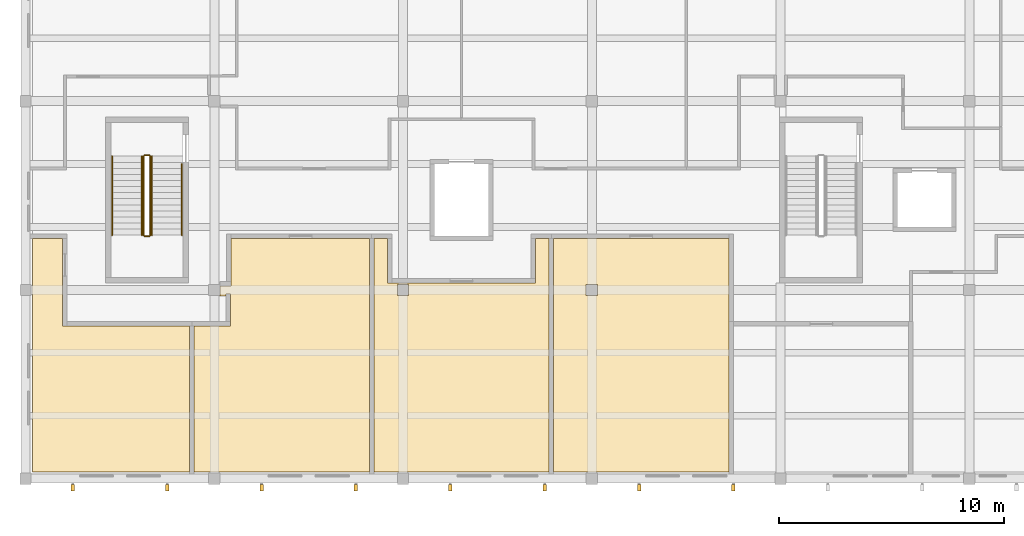
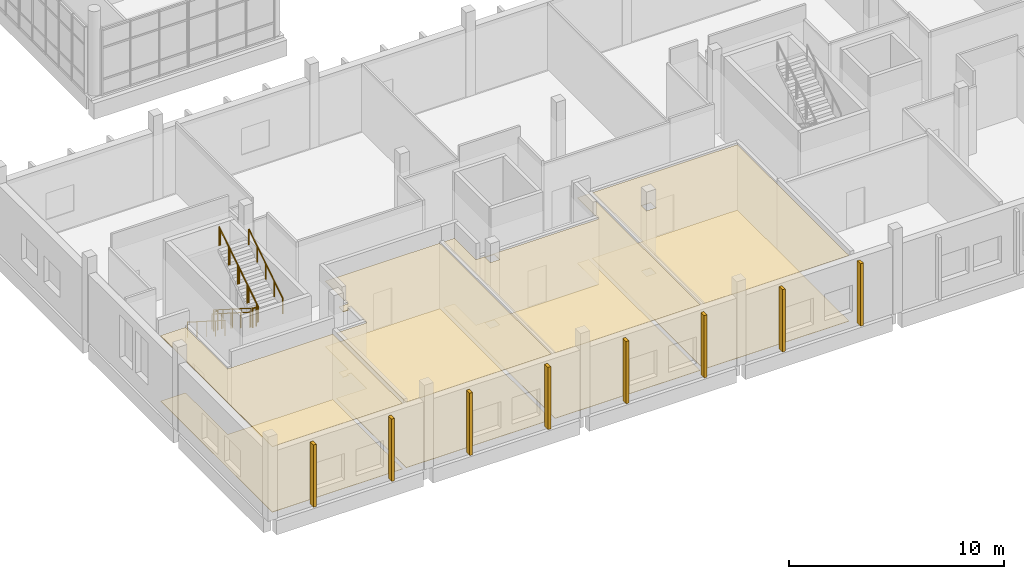
# One storey, part 86 of 119: 16 coverings, 8 railings.
"""IFC4 building model written with IfcOpenShell, lengths in metres."""

from ifc_helpers import new_model, si_unit, direction, frame, origin, origin_2d, place, context, subcontext, project, spatial, polyline, circle, outline, extrude, material, layer, layer_set, type_object, element, save


model = new_model("IFC4")

# Units and contexts
model_context = context("Model", 3, precision=1e-05, world=origin(), true_north=direction((0.0, 1.0)))
body_context = subcontext(model_context, "Body", "Model", "MODEL_VIEW")
ifc_project = project(units=[si_unit("LENGTHUNIT", "METRE"), si_unit("AREAUNIT", "SQUARE_METRE"), si_unit("VOLUMEUNIT", "CUBIC_METRE"), si_unit("PLANEANGLEUNIT", "RADIAN"), si_unit("MASSUNIT", "GRAM", prefix="KILO")], contexts=[model_context])

# Site, building, storey
site_placement = place(None, origin())
site = spatial("IfcSite", under=ifc_project, at=site_placement, CompositionType="ELEMENT")
building_placement = place(site_placement, origin())
building = spatial("IfcBuilding", under=site, at=building_placement, Name="Larchfold Concert Hall", CompositionType="ELEMENT")
storey_placement = place(building_placement, frame((0.0, 0.0, 4.800048828125)))
storey = spatial("IfcBuildingStorey", under=building, at=storey_placement, Name="L01", CompositionType="ELEMENT", Elevation=4.800048828125)

# Coverings
ifc_material_1 = material(Name="Plasterboard ceiling lining")
ifc_layer_1 = layer(ifc_material_1, 0.030029296875)
ifc_layer_set_1 = layer_set([ifc_layer_1], Name="Plasterboard ceiling lining")
covering_type_1 = type_object("IfcCoveringType", Name="Ceiling suspended plasterboard 30", PredefinedType="CEILING", material=ifc_layer_set_1)
covering_1_placement = place(storey_placement, frame((0.0, 0.0, 3.7099609375)))
element("IfcCovering", 1, at=covering_1_placement, inside=storey, type_object=covering_type_1, Name="Ceiling Ensemble Room 01", PredefinedType="CEILING", context=body_context, shape_type="SweptSolid", body=[
    extrude(outline(polyline([(0.900146484375, 11.2998046875), (0.900146484375, 0.900146484375), (7.89990234375, 0.900146484375), (7.89990234375, 7.39990234375), (2.25, 7.39990234375), (2.25, 11.2998046875), (0.900146484375, 11.2998046875)])), origin(), (0.0, 0.0, 1.0), 0.030029296875),
])
covering_2_placement = place(storey_placement, frame((0.0, 0.0, 3.7099609375)))
element("IfcCovering", 2, at=covering_2_placement, inside=storey, type_object=covering_type_1, Name="Ceiling Ensemble Room 02", PredefinedType="CEILING", context=body_context, shape_type="SweptSolid", body=[
    extrude(outline(polyline([(8.10009765625, 7.39990234375), (8.10009765625, 0.900146484375), (15.89990234375, 0.900146484375), (15.89990234375, 11.2998046875), (9.75, 11.2998046875), (9.75, 9.169921875), (9.25, 9.169921875), (9.25, 8.75), (9.211181640625, 8.75), (9.24853515625, 8.72998046875), (9.518798828125, 8.72998046875), (9.518798828125, 8.830078125), (9.718994140625, 8.830078125), (9.718994140625, 7.39990234375), (8.10009765625, 7.39990234375)])), origin(), (0.0, 0.0, 1.0), 0.030029296875),
])
covering_3_placement = place(storey_placement, frame((0.0, 0.0, 3.7099609375)))
element("IfcCovering", 3, at=covering_3_placement, inside=storey, type_object=covering_type_1, Name="Ceiling Ensemble Room 03", PredefinedType="CEILING", context=body_context, shape_type="SweptSolid", body=[
    extrude(outline(polyline([(16.10009765625, 11.2998046875), (16.10009765625, 0.900146484375), (23.89990234375, 0.900146484375), (23.89990234375, 11.2998046875), (23.300048828125, 11.2998046875), (23.300048828125, 9.2998046875), (16.89990234375, 9.2998046875), (16.699951171875, 9.300048828125), (16.699951171875, 11.2998046875), (16.10009765625, 11.2998046875)]), holes=[polyline([(17.64990234375, 9.25), (17.64990234375, 8.75), (17.14990234375, 8.75), (17.14990234375, 9.25), (17.64990234375, 9.25)])]), origin(), (0.0, 0.0, 1.0), 0.030029296875),
])
covering_4_placement = place(storey_placement, frame((0.0, 0.0, 3.7099609375)))
element("IfcCovering", 4, at=covering_4_placement, inside=storey, type_object=covering_type_1, Name="Ceiling Ensemble Room 04", PredefinedType="CEILING", context=body_context, shape_type="SweptSolid", body=[
    extrude(outline(polyline([(24.10009765625, 11.2998046875), (24.10009765625, 0.900146484375), (31.89990234375, 0.900146484375), (31.89990234375, 11.2998046875), (24.10009765625, 11.2998046875)]), holes=[polyline([(25.550048828125, 8.75), (25.550048828125, 9.25), (26.050048828125, 9.25), (26.050048828125, 8.75), (25.550048828125, 8.75)])]), origin(), (0.0, 0.0, 1.0), 0.030029296875),
])
ifc_material_2 = material(Name="Linoleum sheet")
ifc_layer_2 = layer(ifc_material_2, 0.02001953125)
ifc_layer_set_2 = layer_set([ifc_layer_2], Name="Linoleum sheet")
covering_type_2 = type_object("IfcCoveringType", Name="Floor finish vinyl 20", PredefinedType="FLOORING", material=ifc_layer_set_2)
covering_5_placement = place(storey_placement, origin())
element("IfcCovering", 5, at=covering_5_placement, inside=storey, type_object=covering_type_2, Name="Floor finish Ensemble Room 01", PredefinedType="FLOORING", context=body_context, shape_type="SweptSolid", body=[
    extrude(outline(polyline([(0.900146484375, 11.2998046875), (0.900146484375, 0.900146484375), (7.89990234375, 0.900146484375), (7.89990234375, 7.39990234375), (2.25, 7.39990234375), (2.25, 11.2998046875), (0.900146484375, 11.2998046875)])), origin(), (0.0, 0.0, 1.0), 0.02001953125),
])
covering_6_placement = place(storey_placement, origin())
element("IfcCovering", 6, at=covering_6_placement, inside=storey, type_object=covering_type_2, Name="Floor finish Ensemble Room 02", PredefinedType="FLOORING", context=body_context, shape_type="SweptSolid", body=[
    extrude(outline(polyline([(8.10009765625, 7.39990234375), (8.10009765625, 0.900146484375), (15.89990234375, 0.900146484375), (15.89990234375, 11.2998046875), (9.75, 11.2998046875), (9.75, 9.169921875), (9.25, 9.169921875), (9.25, 8.75), (9.211181640625, 8.75), (9.24853515625, 8.72998046875), (9.518798828125, 8.72998046875), (9.518798828125, 8.830078125), (9.718994140625, 8.830078125), (9.718994140625, 7.39990234375), (8.10009765625, 7.39990234375)])), origin(), (0.0, 0.0, 1.0), 0.02001953125),
])
covering_7_placement = place(storey_placement, origin())
element("IfcCovering", 7, at=covering_7_placement, inside=storey, type_object=covering_type_2, Name="Floor finish Ensemble Room 03", PredefinedType="FLOORING", context=body_context, shape_type="SweptSolid", body=[
    extrude(outline(polyline([(16.10009765625, 11.2998046875), (16.10009765625, 0.900146484375), (23.89990234375, 0.900146484375), (23.89990234375, 11.2998046875), (23.300048828125, 11.2998046875), (23.300048828125, 9.2998046875), (16.89990234375, 9.2998046875), (16.699951171875, 9.300048828125), (16.699951171875, 11.2998046875), (16.10009765625, 11.2998046875)]), holes=[polyline([(17.64990234375, 9.25), (17.64990234375, 8.75), (17.14990234375, 8.75), (17.14990234375, 9.25), (17.64990234375, 9.25)])]), origin(), (0.0, 0.0, 1.0), 0.02001953125),
])
covering_8_placement = place(storey_placement, origin())
element("IfcCovering", 8, at=covering_8_placement, inside=storey, type_object=covering_type_2, Name="Floor finish Ensemble Room 04", PredefinedType="FLOORING", context=body_context, shape_type="SweptSolid", body=[
    extrude(outline(polyline([(24.10009765625, 11.2998046875), (24.10009765625, 0.900146484375), (31.89990234375, 0.900146484375), (31.89990234375, 11.2998046875), (24.10009765625, 11.2998046875)]), holes=[polyline([(25.550048828125, 8.75), (25.550048828125, 9.25), (26.050048828125, 9.25), (26.050048828125, 8.75), (25.550048828125, 8.75)])]), origin(), (0.0, 0.0, 1.0), 0.02001953125),
])
ifc_material_3 = material(Name="Glulam GL30c", Category="wood")
ifc_layer_3 = layer(ifc_material_3, 0.159912109375)
ifc_layer_set_3 = layer_set([ifc_layer_3], Name="Glulam GL30c")
covering_type_3 = type_object("IfcCoveringType", Name="Glulam fin 160x300", PredefinedType="CLADDING", material=ifc_layer_set_3)
covering_9_placement = place(storey_placement, frame((0.0, 0.0, 0.199951171875)))
element("IfcCovering", 9, at=covering_9_placement, inside=storey, type_object=covering_type_3, Name="Glulam fin FN-L01-022", PredefinedType="CLADDING", context=body_context, shape_type="SweptSolid", body=[
    extrude(outline(polyline([(2.780029296875, 0.050048828125), (2.780029296875, 0.35009765625), (2.6201171875, 0.35009765625), (2.6201171875, 0.050048828125), (2.780029296875, 0.050048828125)])), origin(), (0.0, 0.0, 1.0), 3.5400390625),
])
covering_10_placement = place(storey_placement, frame((0.0, 0.0, 0.199951171875)))
element("IfcCovering", 10, at=covering_10_placement, inside=storey, type_object=covering_type_3, Name="Glulam fin FN-L01-023", PredefinedType="CLADDING", context=body_context, shape_type="SweptSolid", body=[
    extrude(outline(polyline([(6.97998046875, 0.050048828125), (6.97998046875, 0.35009765625), (6.820068359375, 0.35009765625), (6.820068359375, 0.050048828125), (6.97998046875, 0.050048828125)])), origin(), (0.0, 0.0, 1.0), 3.5400390625),
])
covering_11_placement = place(storey_placement, frame((0.0, 0.0, 0.199951171875)))
element("IfcCovering", 11, at=covering_11_placement, inside=storey, type_object=covering_type_3, Name="Glulam fin FN-L01-024", PredefinedType="CLADDING", context=body_context, shape_type="SweptSolid", body=[
    extrude(outline(polyline([(11.179931640625, 0.050048828125), (11.179931640625, 0.35009765625), (11.02001953125, 0.35009765625), (11.02001953125, 0.050048828125), (11.179931640625, 0.050048828125)])), origin(), (0.0, 0.0, 1.0), 3.5400390625),
])
covering_12_placement = place(storey_placement, frame((0.0, 0.0, 0.199951171875)))
element("IfcCovering", 12, at=covering_12_placement, inside=storey, type_object=covering_type_3, Name="Glulam fin FN-L01-025", PredefinedType="CLADDING", context=body_context, shape_type="SweptSolid", body=[
    extrude(outline(polyline([(15.3798828125, 0.050048828125), (15.3798828125, 0.35009765625), (15.219970703125, 0.35009765625), (15.219970703125, 0.050048828125), (15.3798828125, 0.050048828125)])), origin(), (0.0, 0.0, 1.0), 3.5400390625),
])
covering_13_placement = place(storey_placement, frame((0.0, 0.0, 0.199951171875)))
element("IfcCovering", 13, at=covering_13_placement, inside=storey, type_object=covering_type_3, Name="Glulam fin FN-L01-026", PredefinedType="CLADDING", context=body_context, shape_type="SweptSolid", body=[
    extrude(outline(polyline([(19.580078125, 0.050048828125), (19.580078125, 0.35009765625), (19.419921875, 0.35009765625), (19.419921875, 0.050048828125), (19.580078125, 0.050048828125)])), origin(), (0.0, 0.0, 1.0), 3.5400390625),
])
covering_14_placement = place(storey_placement, frame((0.0, 0.0, 0.199951171875)))
element("IfcCovering", 14, at=covering_14_placement, inside=storey, type_object=covering_type_3, Name="Glulam fin FN-L01-027", PredefinedType="CLADDING", context=body_context, shape_type="SweptSolid", body=[
    extrude(outline(polyline([(23.780029296875, 0.050048828125), (23.780029296875, 0.35009765625), (23.6201171875, 0.35009765625), (23.6201171875, 0.050048828125), (23.780029296875, 0.050048828125)])), origin(), (0.0, 0.0, 1.0), 3.5400390625),
])
covering_15_placement = place(storey_placement, frame((0.0, 0.0, 0.199951171875)))
element("IfcCovering", 15, at=covering_15_placement, inside=storey, type_object=covering_type_3, Name="Glulam fin FN-L01-028", PredefinedType="CLADDING", context=body_context, shape_type="SweptSolid", body=[
    extrude(outline(polyline([(27.97998046875, 0.050048828125), (27.97998046875, 0.35009765625), (27.820068359375, 0.35009765625), (27.820068359375, 0.050048828125), (27.97998046875, 0.050048828125)])), origin(), (0.0, 0.0, 1.0), 3.5400390625),
])
covering_16_placement = place(storey_placement, frame((0.0, 0.0, 0.199951171875)))
element("IfcCovering", 16, at=covering_16_placement, inside=storey, type_object=covering_type_3, Name="Glulam fin FN-L01-029", PredefinedType="CLADDING", context=body_context, shape_type="SweptSolid", body=[
    extrude(outline(polyline([(32.179931640625, 0.050048828125), (32.179931640625, 0.35009765625), (32.02001953125, 0.35009765625), (32.02001953125, 0.050048828125), (32.179931640625, 0.050048828125)])), origin(), (0.0, 0.0, 1.0), 3.5400390625),
])

# Railings
ifc_material_4 = material(Name="Stainless steel balustrade", Category="steel")
railing_type_1 = type_object("IfcRailingType", Name="Stair guard 1100", PredefinedType="GUARDRAIL", material=ifc_material_4)
railing_1_placement = place(storey_placement, frame((5.849853515625, 14.949951171875, 0.17138671875)))
element("IfcRailing", 17, at=railing_1_placement, inside=storey, type_object=railing_type_1, Name="Guard GR0077", PredefinedType="GUARDRAIL", context=body_context, shape_type="SweptSolid", body=[
    extrude(circle(Radius=0.02392578125, at=origin_2d()), frame((0.0, 0.0, 1.076171875), z_axis=(0.0, -0.844219563411, 0.53599750816), x_axis=(1.0, 0.0, 0.0)), (0.0, 0.0, 1.0), 4.15771484375),
    extrude(circle(Radius=0.02099609375, at=origin_2d()), origin(), (0.0, 0.0, 1.0), 1.052001953125),
    extrude(circle(Radius=0.02099609375, at=origin_2d()), frame((0.0, -0.87744140625, 0.55712890625)), (0.0, 0.0, 1.0), 1.052001953125),
    extrude(circle(Radius=0.02099609375, at=origin_2d()), frame((0.0, -1.7548828125, 1.1142578125)), (0.0, 0.0, 1.0), 1.052001953125),
    extrude(circle(Radius=0.02099609375, at=origin_2d()), frame((0.0, -2.632568359375, 1.67138671875)), (0.0, 0.0, 1.0), 1.052001953125),
    extrude(circle(Radius=0.02099609375, at=origin_2d()), frame((0.0, -3.510009765625, 2.228515625)), (0.0, 0.0, 1.0), 1.052001953125),
])
railing_2_placement = place(storey_placement, frame((5.89990234375, 11.389892578125, 2.39990234375)))
element("IfcRailing", 18, at=railing_2_placement, inside=storey, type_object=railing_type_1, Name="Guard GR0078", PredefinedType="GUARDRAIL", context=body_context, shape_type="SweptSolid", body=[
    extrude(circle(Radius=0.02392578125, at=origin_2d()), frame((0.0, 0.0, 1.076171875), z_axis=(1.0, 0.0, 0.0), x_axis=(0.0, 1.0, 0.0)), (0.0, 0.0, 1.0), 0.199951171875),
    extrude(circle(Radius=0.02099609375, at=origin_2d()), origin(), (0.0, 0.0, 1.0), 1.052001953125),
    extrude(circle(Radius=0.02099609375, at=origin_2d()), frame((0.199951171875, 0.0, 0.0)), (0.0, 0.0, 1.0), 1.052001953125),
])
railing_3_placement = place(storey_placement, frame((6.14990234375, 11.43994140625, 2.5712890625)))
element("IfcRailing", 19, at=railing_3_placement, inside=storey, type_object=railing_type_1, Name="Guard GR0079", PredefinedType="GUARDRAIL", context=body_context, shape_type="SweptSolid", body=[
    extrude(circle(Radius=0.02392578125, at=origin_2d()), frame((0.0, 0.0, 1.076171875), z_axis=(0.0, 0.844192992368, 0.536039356425), x_axis=(-1.0, 0.0, 0.0)), (0.0, 0.0, 1.0), 4.15771484375),
    extrude(circle(Radius=0.02099609375, at=origin_2d()), origin(), (0.0, 0.0, 1.0), 1.052001953125),
    extrude(circle(Radius=0.02099609375, at=origin_2d()), frame((0.0, 0.87744140625, 0.55712890625)), (0.0, 0.0, 1.0), 1.052001953125),
    extrude(circle(Radius=0.02099609375, at=origin_2d()), frame((0.0, 1.7548828125, 1.1142578125)), (0.0, 0.0, 1.0), 1.052001953125),
    extrude(circle(Radius=0.02099609375, at=origin_2d()), frame((0.0, 2.632568359375, 1.671630859375)), (0.0, 0.0, 1.0), 1.052001953125),
    extrude(circle(Radius=0.02099609375, at=origin_2d()), frame((0.0, 3.510009765625, 2.228759765625)), (0.0, 0.0, 1.0), 1.052001953125),
])
railing_4_placement = place(storey_placement, frame((5.89990234375, 15.0, 0.0)))
element("IfcRailing", 20, at=railing_4_placement, inside=storey, type_object=railing_type_1, Name="Guard GR0080", PredefinedType="GUARDRAIL", context=body_context, shape_type="SweptSolid", body=[
    extrude(circle(Radius=0.02392578125, at=origin_2d()), frame((0.0, 0.0, 1.076171875), z_axis=(1.0, 0.0, 0.0), x_axis=(0.0, 1.0, 0.0)), (0.0, 0.0, 1.0), 0.199951171875),
    extrude(circle(Radius=0.02099609375, at=origin_2d()), origin(), (0.0, 0.0, 1.0), 1.052001953125),
    extrude(circle(Radius=0.02099609375, at=origin_2d()), frame((0.199951171875, 0.0, 0.0)), (0.0, 0.0, 1.0), 1.052001953125),
])
ifc_material_5 = material(Name="Stainless steel handrail", Category="steel")
railing_type_2 = type_object("IfcRailingType", Name="Stair handrail 900", PredefinedType="HANDRAIL", material=ifc_material_5)
railing_5_placement = place(storey_placement, frame((4.449951171875, 14.949951171875, 0.17138671875)))
element("IfcRailing", 21, at=railing_5_placement, inside=storey, type_object=railing_type_2, Name="Handrail HR0073", PredefinedType="HANDRAIL", context=body_context, shape_type="SweptSolid", body=[
    extrude(circle(Radius=0.02392578125, at=origin_2d()), frame((0.0, 0.0, 0.8759765625), z_axis=(0.0, -0.844219563411, 0.53599750816), x_axis=(1.0, 0.0, 0.0)), (0.0, 0.0, 1.0), 4.15771484375),
    extrude(circle(Radius=0.02099609375, at=origin_2d()), origin(), (0.0, 0.0, 1.0), 0.851806640625),
    extrude(circle(Radius=0.02099609375, at=origin_2d()), frame((0.0, -0.87744140625, 0.55712890625)), (0.0, 0.0, 1.0), 0.851806640625),
    extrude(circle(Radius=0.02099609375, at=origin_2d()), frame((0.0, -1.7548828125, 1.1142578125)), (0.0, 0.0, 1.0), 0.851806640625),
    extrude(circle(Radius=0.02099609375, at=origin_2d()), frame((0.0, -2.632568359375, 1.67138671875)), (0.0, 0.0, 1.0), 0.851806640625),
    extrude(circle(Radius=0.02099609375, at=origin_2d()), frame((0.0, -3.510009765625, 2.228515625)), (0.0, 0.0, 1.0), 0.851806640625),
])
railing_6_placement = place(storey_placement, frame((7.5498046875, 11.43994140625, 2.5712890625)))
element("IfcRailing", 22, at=railing_6_placement, inside=storey, type_object=railing_type_2, Name="Handrail HR0074", PredefinedType="HANDRAIL", context=body_context, shape_type="SweptSolid", body=[
    extrude(circle(Radius=0.02392578125, at=origin_2d()), frame((0.0, 0.0, 0.8759765625), z_axis=(0.0, 0.844224994989, 0.535988953092), x_axis=(-1.0, 0.0, 0.0)), (0.0, 0.0, 1.0), 3.7431640625),
    extrude(circle(Radius=0.02099609375, at=origin_2d()), origin(), (0.0, 0.0, 1.0), 0.851806640625),
    extrude(circle(Radius=0.02099609375, at=origin_2d()), frame((0.0, 0.7900390625, 0.50146484375)), (0.0, 0.0, 1.0), 0.851806640625),
    extrude(circle(Radius=0.02099609375, at=origin_2d()), frame((0.0, 1.580078125, 1.003173828125)), (0.0, 0.0, 1.0), 0.851806640625),
    extrude(circle(Radius=0.02099609375, at=origin_2d()), frame((0.0, 2.3701171875, 1.5048828125)), (0.0, 0.0, 1.0), 0.851806640625),
    extrude(circle(Radius=0.02099609375, at=origin_2d()), frame((0.0, 3.16015625, 2.00634765625)), (0.0, 0.0, 1.0), 0.851806640625),
])
railing_7_placement = place(storey_placement, frame((5.77978515625, 14.949951171875, 0.17138671875)))
element("IfcRailing", 23, at=railing_7_placement, inside=storey, type_object=railing_type_2, Name="Handrail HR0075", PredefinedType="HANDRAIL", context=body_context, shape_type="SweptSolid", body=[
    extrude(circle(Radius=0.02392578125, at=origin_2d()), frame((0.0, 0.0, 0.8759765625), z_axis=(0.0, -0.844219563411, 0.53599750816), x_axis=(1.0, 0.0, 0.0)), (0.0, 0.0, 1.0), 4.15771484375),
    extrude(circle(Radius=0.02099609375, at=origin_2d()), origin(), (0.0, 0.0, 1.0), 0.851806640625),
    extrude(circle(Radius=0.02099609375, at=origin_2d()), frame((0.0, -0.87744140625, 0.55712890625)), (0.0, 0.0, 1.0), 0.851806640625),
    extrude(circle(Radius=0.02099609375, at=origin_2d()), frame((0.0, -1.7548828125, 1.1142578125)), (0.0, 0.0, 1.0), 0.851806640625),
    extrude(circle(Radius=0.02099609375, at=origin_2d()), frame((0.0, -2.632568359375, 1.67138671875)), (0.0, 0.0, 1.0), 0.851806640625),
    extrude(circle(Radius=0.02099609375, at=origin_2d()), frame((0.0, -3.510009765625, 2.228515625)), (0.0, 0.0, 1.0), 0.851806640625),
])
railing_8_placement = place(storey_placement, frame((6.219970703125, 11.43994140625, 2.5712890625)))
element("IfcRailing", 24, at=railing_8_placement, inside=storey, type_object=railing_type_2, Name="Handrail HR0076", PredefinedType="HANDRAIL", context=body_context, shape_type="SweptSolid", body=[
    extrude(circle(Radius=0.02392578125, at=origin_2d()), frame((0.0, 0.0, 0.8759765625), z_axis=(0.0, 0.844192992368, 0.536039356425), x_axis=(-1.0, 0.0, 0.0)), (0.0, 0.0, 1.0), 4.15771484375),
    extrude(circle(Radius=0.02099609375, at=origin_2d()), origin(), (0.0, 0.0, 1.0), 0.851806640625),
    extrude(circle(Radius=0.02099609375, at=origin_2d()), frame((0.0, 0.87744140625, 0.55712890625)), (0.0, 0.0, 1.0), 0.851806640625),
    extrude(circle(Radius=0.02099609375, at=origin_2d()), frame((0.0, 1.7548828125, 1.1142578125)), (0.0, 0.0, 1.0), 0.851806640625),
    extrude(circle(Radius=0.02099609375, at=origin_2d()), frame((0.0, 2.632568359375, 1.671630859375)), (0.0, 0.0, 1.0), 0.851806640625),
    extrude(circle(Radius=0.02099609375, at=origin_2d()), frame((0.0, 3.510009765625, 2.228759765625)), (0.0, 0.0, 1.0), 0.851806640625),
])

save(model, "model.ifc")
